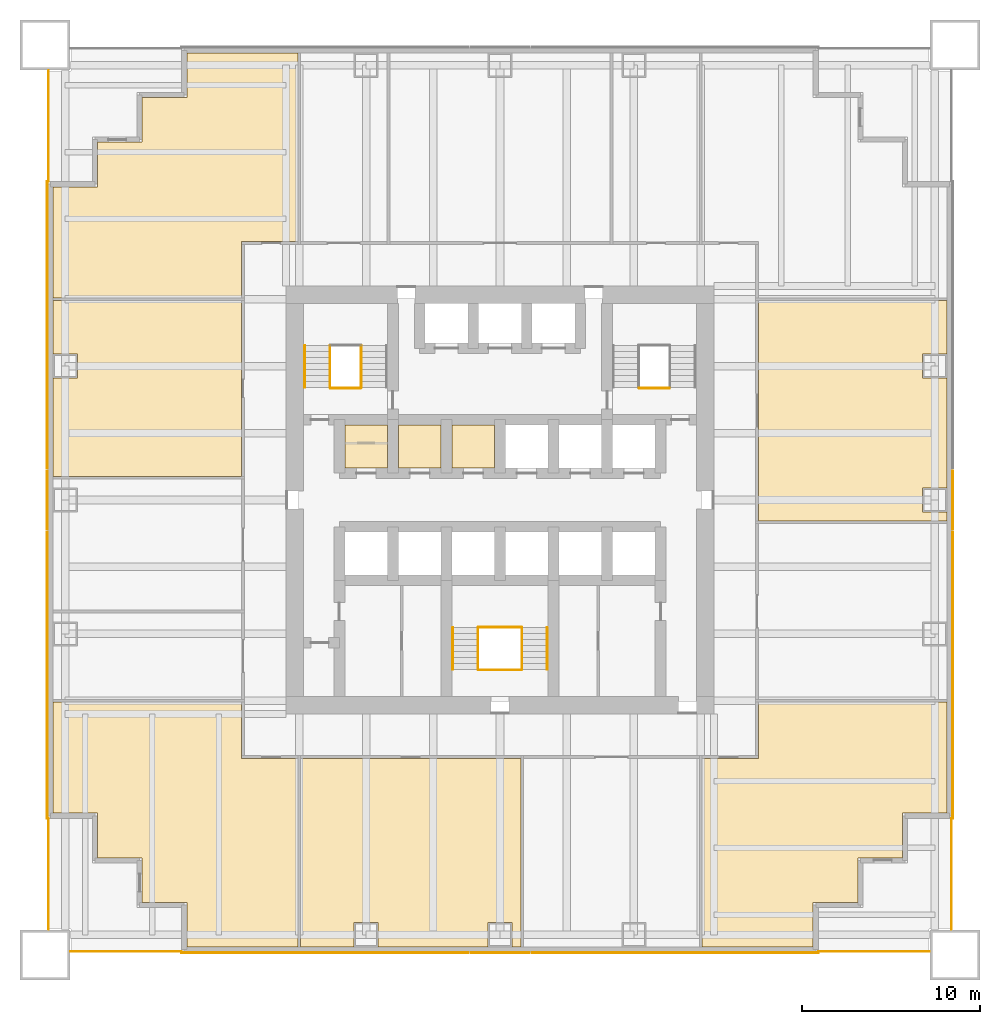
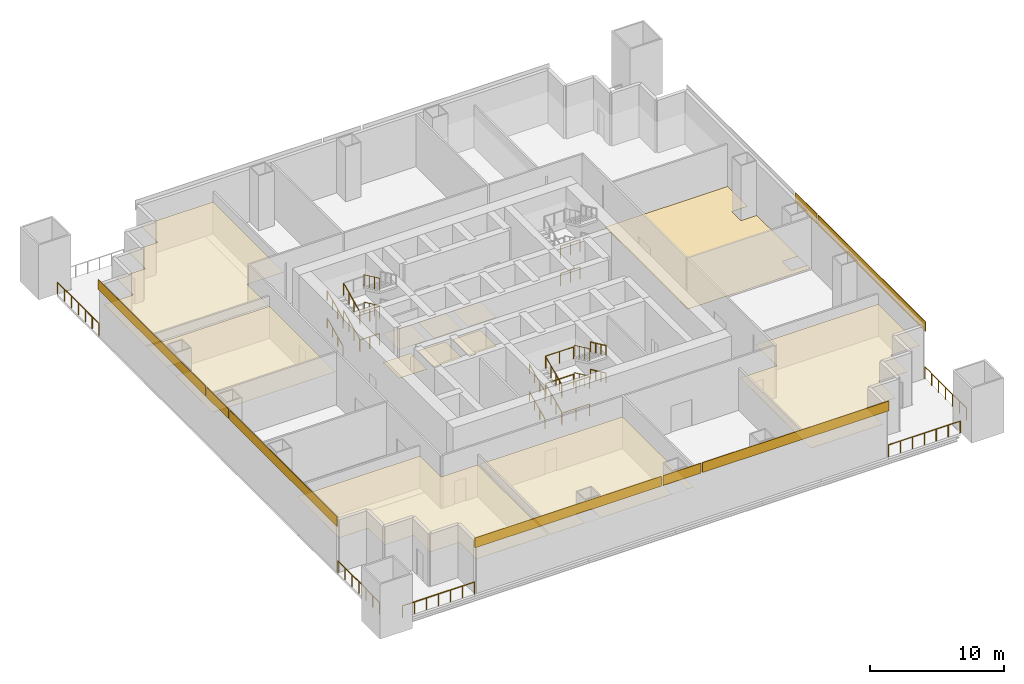
# One storey, part 5 of 6: 27 railings, 20 coverings.
"""IFC4 building model written with IfcOpenShell, lengths in metres."""

from ifc_helpers import new_model, si_unit, direction, frame, origin, origin_2d, place, context, subcontext, project, spatial, polyline, rectangle, circle, outline, extrude, material, layer, layer_set, type_object, element, save


model = new_model("IFC4")

# Units and contexts
model_context = context("Model", 3, precision=1e-05, world=origin(), true_north=direction((0.0, 1.0)))
body_context = subcontext(model_context, "Body", "Model", "MODEL_VIEW")
ifc_project = project(units=[si_unit("LENGTHUNIT", "METRE"), si_unit("AREAUNIT", "SQUARE_METRE"), si_unit("VOLUMEUNIT", "CUBIC_METRE"), si_unit("PLANEANGLEUNIT", "RADIAN"), si_unit("MASSUNIT", "GRAM", prefix="KILO")], contexts=[model_context])

# Site, building, storey
site_placement = place(None, origin())
site = spatial("IfcSite", under=ifc_project, at=site_placement, CompositionType="ELEMENT")
building_placement = place(site_placement, origin())
building = spatial("IfcBuilding", under=site, at=building_placement, Name="Tarangal Relay Tower", CompositionType="ELEMENT")
storey_placement = place(building_placement, frame((0.0, 0.0, 73.39990234375)))
storey = spatial("IfcBuildingStorey", under=building, at=storey_placement, Name="L14", CompositionType="ELEMENT", Elevation=73.39990234375)

# Coverings
ifc_material_1 = material(Name="Anti-static vinyl flooring", Category="plastic")
ifc_layer_1 = layer(ifc_material_1, 0.010009765625)
ifc_layer_set_1 = layer_set([ifc_layer_1], Name="Anti-static vinyl floor")
covering_type_1 = type_object("IfcCoveringType", Name="Anti-static vinyl floor", PredefinedType="FLOORING", material=ifc_layer_set_1)
covering_1_placement = place(storey_placement, origin())
element("IfcCovering", 1, at=covering_1_placement, inside=storey, type_object=covering_type_1, Name="Floor finish FL1 L14-D1", PredefinedType="FLOORING", context=body_context, shape_type="SweptSolid", body=[
    extrude(outline(polyline([(-8.699951171875, 1.800048828125), (-6.300048828125, 1.800048828125), (-6.300048828125, 4.199951171875), (-8.699951171875, 4.199951171875), (-8.699951171875, 1.800048828125)])), origin(), (0.0, 0.0, 1.0), 0.010009765625),
])
covering_2_placement = place(storey_placement, origin())
element("IfcCovering", 2, at=covering_2_placement, inside=storey, type_object=covering_type_1, Name="Floor finish FL1 L14-D2", PredefinedType="FLOORING", context=body_context, shape_type="SweptSolid", body=[
    extrude(outline(polyline([(-5.699951171875, 1.800048828125), (-3.300048828125, 1.800048828125), (-3.300048828125, 4.199951171875), (-5.699951171875, 4.199951171875), (-5.699951171875, 1.800048828125)])), origin(), (0.0, 0.0, 1.0), 0.010009765625),
])
covering_3_placement = place(storey_placement, origin())
element("IfcCovering", 3, at=covering_3_placement, inside=storey, type_object=covering_type_1, Name="Floor finish FL1 L14-D3", PredefinedType="FLOORING", context=body_context, shape_type="SweptSolid", body=[
    extrude(outline(polyline([(-2.699951171875, 1.800048828125), (-0.300048828125, 1.800048828125), (-0.300048828125, 4.199951171875), (-2.699951171875, 4.199951171875), (-2.699951171875, 1.800048828125)])), origin(), (0.0, 0.0, 1.0), 0.010009765625),
])
covering_4_placement = place(storey_placement, origin())
element("IfcCovering", 4, at=covering_4_placement, inside=storey, type_object=covering_type_1, Name="Floor finish FL1 L14-05", PredefinedType="FLOORING", context=body_context, shape_type="SweptSolid", body=[
    extrude(outline(polyline([(25.050048828125, -1.175048828125), (25.050048828125, 11.175048828125), (14.47509765625, 11.175048828125), (14.47509765625, -1.175048828125), (25.050048828125, -1.175048828125)]), holes=[polyline([(25.0400390625, -0.675048828125), (25.0400390625, 0.675048828125), (23.68994140625, 0.675048828125), (23.68994140625, -0.675048828125), (25.0400390625, -0.675048828125)]), polyline([(25.0400390625, 6.824951171875), (25.0400390625, 8.175048828125), (23.68994140625, 8.175048828125), (23.68994140625, 6.824951171875), (25.0400390625, 6.824951171875)])]), origin(), (0.0, 0.0, 1.0), 0.010009765625),
])
ifc_material_2 = material(Name="Black anodised aluminium cladding", Category="aluminium")
ifc_layer_2 = layer(ifc_material_2, 0.050048828125)
ifc_layer_set_2 = layer_set([ifc_layer_2], Name="Black metal spandrel band")
covering_type_2 = type_object("IfcCoveringType", Name="Black metal spandrel band", PredefinedType="CLADDING", material=ifc_layer_set_2)
covering_5_placement = place(storey_placement, frame((25.375, 0.0, 4.250244140625), z_axis=(0.0, 0.0, 1.0), x_axis=(0.0, -1.0, 0.0)))
element("IfcCovering", 5, at=covering_5_placement, inside=storey, type_object=covering_type_2, Name="Spandrel band SB1 E L14", PredefinedType="CLADDING", context=body_context, shape_type="SweptSolid", body=[
    extrude(rectangle(XDim=3.260009765625, YDim=0.050048828125, at=origin_2d()), origin(), (0.0, 0.0, 1.0), 0.89990234375),
])
for number, where, z_axis, x_axis, name in (
    (6, (25.375, -9.81005859375, 4.250244140625), (0.0, 0.0, 1.0), (0.0, -1.0, 0.0), "Spandrel band SB1 E L14"),
    (7, (9.81005859375, -25.375, 4.250244140625), (0.0, 0.0, 1.0), (-1.0, 0.0, 0.0), "Spandrel band SB1 S L14"),
):
    element("IfcCovering", number, at=place(storey_placement, frame(where, z_axis=z_axis, x_axis=x_axis)), inside=storey, type_object=covering_type_2, Name=name, PredefinedType="CLADDING", context=body_context, shape_type="SweptSolid", body=[
        extrude(rectangle(XDim=16.080078125, YDim=0.050048828125, at=origin_2d()), origin(), (0.0, 0.0, 1.0), 0.89990234375),
    ])
covering_6_placement = place(storey_placement, frame((0.0, -25.375, 4.250244140625), z_axis=(0.0, 0.0, 1.0), x_axis=(-1.0, 0.0, 0.0)))
element("IfcCovering", 8, at=covering_6_placement, inside=storey, type_object=covering_type_2, Name="Spandrel band SB1 S L14", PredefinedType="CLADDING", context=body_context, shape_type="SweptSolid", body=[
    extrude(rectangle(XDim=3.260009765625, YDim=0.050048828125, at=origin_2d()), origin(), (0.0, 0.0, 1.0), 0.89990234375),
])
for number, where, z_axis, x_axis, name in (
    (9, (-9.81005859375, -25.375, 4.250244140625), (0.0, 0.0, 1.0), (-1.0, 0.0, 0.0), "Spandrel band SB1 S L14"),
    (10, (-25.375, -9.81005859375, 4.250244140625), (0.0, 0.0, 1.0), (0.0, 1.0, 0.0), "Spandrel band SB1 W L14"),
):
    element("IfcCovering", number, at=place(storey_placement, frame(where, z_axis=z_axis, x_axis=x_axis)), inside=storey, type_object=covering_type_2, Name=name, PredefinedType="CLADDING", context=body_context, shape_type="SweptSolid", body=[
        extrude(rectangle(XDim=16.080078125, YDim=0.050048828125, at=origin_2d()), origin(), (0.0, 0.0, 1.0), 0.89990234375),
    ])
covering_7_placement = place(storey_placement, frame((-25.375, 0.0, 4.250244140625), z_axis=(0.0, 0.0, 1.0), x_axis=(0.0, 1.0, 0.0)))
element("IfcCovering", 11, at=covering_7_placement, inside=storey, type_object=covering_type_2, Name="Spandrel band SB1 W L14", PredefinedType="CLADDING", context=body_context, shape_type="SweptSolid", body=[
    extrude(rectangle(XDim=3.260009765625, YDim=0.050048828125, at=origin_2d()), origin(), (0.0, 0.0, 1.0), 0.89990234375),
])
covering_8_placement = place(storey_placement, frame((-25.375, 9.81005859375, 4.250244140625), z_axis=(0.0, 0.0, 1.0), x_axis=(0.0, 1.0, 0.0)))
element("IfcCovering", 12, at=covering_8_placement, inside=storey, type_object=covering_type_2, Name="Spandrel band SB1 W L14", PredefinedType="CLADDING", context=body_context, shape_type="SweptSolid", body=[
    extrude(rectangle(XDim=16.080078125, YDim=0.050048828125, at=origin_2d()), origin(), (0.0, 0.0, 1.0), 0.89990234375),
])

# Railings
ifc_material_3 = material(Name="Steel guard, black finish", Category="steel")
railing_type_1 = type_object("IfcRailingType", Name="Stair guard 1100", PredefinedType="GUARDRAIL", material=ifc_material_3)
railing_1_placement = place(storey_placement, frame((-9.530029296875, 6.300048828125, 0.156494140625)))
element("IfcRailing", 13, at=railing_1_placement, inside=storey, type_object=railing_type_1, Name="Stair ST-A guard GR1 L14 flight 1", PredefinedType="GUARDRAIL", context=body_context, shape_type="SweptSolid", body=[
    extrude(circle(Radius=0.02392578125, at=origin_2d()), frame((0.0, 0.0, 1.076171875), z_axis=(0.0, 0.906303632821, 0.42262717037), x_axis=(-1.0, 0.0, 0.0)), (0.0, 0.0, 1.0), 2.58740234375),
    extrude(circle(Radius=0.02099609375, at=origin_2d()), origin(), (0.0, 0.0, 1.0), 1.052001953125),
    extrude(circle(Radius=0.02099609375, at=origin_2d()), frame((0.0, 0.78173828125, 0.364501953125)), (0.0, 0.0, 1.0), 1.052001953125),
    extrude(circle(Radius=0.02099609375, at=origin_2d()), frame((0.0, 1.563232421875, 0.72900390625)), (0.0, 0.0, 1.0), 1.052001953125),
    extrude(circle(Radius=0.02099609375, at=origin_2d()), frame((0.0, 2.344970703125, 1.093505859375)), (0.0, 0.0, 1.0), 1.052001953125),
])
railing_2_placement = place(storey_placement, frame((-7.77001953125, 8.64501953125, 1.406494140625)))
element("IfcRailing", 14, at=railing_2_placement, inside=storey, type_object=railing_type_1, Name="Stair ST-A guard GR1 L14 flight 2", PredefinedType="GUARDRAIL", context=body_context, shape_type="SweptSolid", body=[
    extrude(circle(Radius=0.02392578125, at=origin_2d()), frame((0.0, 0.0, 1.076171875), z_axis=(0.0, -0.906303632821, 0.42262717037), x_axis=(1.0, 0.0, 0.0)), (0.0, 0.0, 1.0), 2.58740234375),
    extrude(circle(Radius=0.02099609375, at=origin_2d()), origin(), (0.0, 0.0, 1.0), 1.052001953125),
    extrude(circle(Radius=0.02099609375, at=origin_2d()), frame((0.0, -0.78173828125, 0.364501953125)), (0.0, 0.0, 1.0), 1.052001953125),
    extrude(circle(Radius=0.02099609375, at=origin_2d()), frame((0.0, -1.563232421875, 0.72900390625)), (0.0, 0.0, 1.0), 1.052001953125),
    extrude(circle(Radius=0.02099609375, at=origin_2d()), frame((0.0, -2.344970703125, 1.093505859375)), (0.0, 0.0, 1.0), 1.052001953125),
])
railing_3_placement = place(storey_placement, frame((-9.530029296875, 6.300048828125, 2.656494140625)))
element("IfcRailing", 15, at=railing_3_placement, inside=storey, type_object=railing_type_1, Name="Stair ST-A guard GR1 L14 flight 3", PredefinedType="GUARDRAIL", context=body_context, shape_type="SweptSolid", body=[
    extrude(circle(Radius=0.02392578125, at=origin_2d()), frame((0.0, 0.0, 1.076171875), z_axis=(0.0, 0.906303632821, 0.42262717037), x_axis=(-1.0, 0.0, 0.0)), (0.0, 0.0, 1.0), 2.58740234375),
    extrude(circle(Radius=0.02099609375, at=origin_2d()), origin(), (0.0, 0.0, 1.0), 1.052001953125),
    extrude(circle(Radius=0.02099609375, at=origin_2d()), frame((0.0, 0.78173828125, 0.364501953125)), (0.0, 0.0, 1.0), 1.052001953125),
    extrude(circle(Radius=0.02099609375, at=origin_2d()), frame((0.0, 1.563232421875, 0.72900390625)), (0.0, 0.0, 1.0), 1.052001953125),
    extrude(circle(Radius=0.02099609375, at=origin_2d()), frame((0.0, 2.344970703125, 1.093505859375)), (0.0, 0.0, 1.0), 1.052001953125),
])
railing_4_placement = place(storey_placement, frame((-7.77001953125, 8.64501953125, 3.906494140625)))
element("IfcRailing", 16, at=railing_4_placement, inside=storey, type_object=railing_type_1, Name="Stair ST-A guard GR1 L14 flight 4", PredefinedType="GUARDRAIL", context=body_context, shape_type="SweptSolid", body=[
    extrude(circle(Radius=0.02392578125, at=origin_2d()), frame((0.0, 0.0, 1.076171875), z_axis=(0.0, -0.906303632821, 0.42262717037), x_axis=(1.0, 0.0, 0.0)), (0.0, 0.0, 1.0), 2.58740234375),
    extrude(circle(Radius=0.02099609375, at=origin_2d()), origin(), (0.0, 0.0, 1.0), 1.052001953125),
    extrude(circle(Radius=0.02099609375, at=origin_2d()), frame((0.0, -0.78173828125, 0.364501953125)), (0.0, 0.0, 1.0), 1.052001953125),
    extrude(circle(Radius=0.02099609375, at=origin_2d()), frame((0.0, -1.563232421875, 0.72900390625)), (0.0, 0.0, 1.0), 1.052001953125),
    extrude(circle(Radius=0.02099609375, at=origin_2d()), frame((0.0, -2.344970703125, 1.093505859375)), (0.0, 0.0, 1.0), 1.052001953125),
])
for number, where, name in (
    (17, (-9.5, 6.27001953125, 0.0), "Stair ST-A landing guard GR1 L14"),
    (18, (-9.5, 6.27001953125, 2.5), "Stair ST-A landing guard GR1 L14"),
    (19, (7.800048828125, 6.27001953125, 0.0), "Stair ST-B landing guard GR1 L14"),
    (20, (7.800048828125, 6.27001953125, 2.5), "Stair ST-B landing guard GR1 L14"),
):
    element("IfcRailing", number, at=place(storey_placement, frame(where)), inside=storey, type_object=railing_type_1, Name=name, PredefinedType="GUARDRAIL", context=body_context, shape_type="SweptSolid", body=[
        extrude(circle(Radius=0.02392578125, at=origin_2d()), frame((0.0, 0.0, 1.076171875), z_axis=(1.0, 0.0, 0.0), x_axis=(0.0, 1.0, 0.0)), (0.0, 0.0, 1.0), 1.699951171875),
        extrude(circle(Radius=0.02099609375, at=origin_2d()), origin(), (0.0, 0.0, 1.0), 1.052001953125),
        extrude(circle(Radius=0.02099609375, at=origin_2d()), frame((0.85009765625, 0.0, 0.0)), (0.0, 0.0, 1.0), 1.052001953125),
        extrude(circle(Radius=0.02099609375, at=origin_2d()), frame((1.699951171875, 0.0, 0.0)), (0.0, 0.0, 1.0), 1.052001953125),
    ])
railing_5_placement = place(storey_placement, frame((-1.22998046875, -9.5, 0.156494140625)))
element("IfcRailing", 21, at=railing_5_placement, inside=storey, type_object=railing_type_1, Name="Stair ST-C guard GR1 L14 flight 1", PredefinedType="GUARDRAIL", context=body_context, shape_type="SweptSolid", body=[
    extrude(circle(Radius=0.02392578125, at=origin_2d()), frame((0.0, 0.0, 1.076171875), z_axis=(0.0, 0.906303632821, 0.42262717037), x_axis=(-1.0, 0.0, 0.0)), (0.0, 0.0, 1.0), 2.58740234375),
    extrude(circle(Radius=0.02099609375, at=origin_2d()), origin(), (0.0, 0.0, 1.0), 1.052001953125),
    extrude(circle(Radius=0.02099609375, at=origin_2d()), frame((0.0, 0.78173828125, 0.364501953125)), (0.0, 0.0, 1.0), 1.052001953125),
    extrude(circle(Radius=0.02099609375, at=origin_2d()), frame((0.0, 1.563232421875, 0.72900390625)), (0.0, 0.0, 1.0), 1.052001953125),
    extrude(circle(Radius=0.02099609375, at=origin_2d()), frame((0.0, 2.344970703125, 1.093505859375)), (0.0, 0.0, 1.0), 1.052001953125),
])
railing_6_placement = place(storey_placement, frame((1.22998046875, -7.155029296875, 1.406494140625)))
element("IfcRailing", 22, at=railing_6_placement, inside=storey, type_object=railing_type_1, Name="Stair ST-C guard GR1 L14 flight 2", PredefinedType="GUARDRAIL", context=body_context, shape_type="SweptSolid", body=[
    extrude(circle(Radius=0.02392578125, at=origin_2d()), frame((0.0, 0.0, 1.076171875), z_axis=(0.0, -0.906303632821, 0.42262717037), x_axis=(1.0, 0.0, 0.0)), (0.0, 0.0, 1.0), 2.58740234375),
    extrude(circle(Radius=0.02099609375, at=origin_2d()), origin(), (0.0, 0.0, 1.0), 1.052001953125),
    extrude(circle(Radius=0.02099609375, at=origin_2d()), frame((0.0, -0.78173828125, 0.364501953125)), (0.0, 0.0, 1.0), 1.052001953125),
    extrude(circle(Radius=0.02099609375, at=origin_2d()), frame((0.0, -1.563232421875, 0.72900390625)), (0.0, 0.0, 1.0), 1.052001953125),
    extrude(circle(Radius=0.02099609375, at=origin_2d()), frame((0.0, -2.344970703125, 1.093505859375)), (0.0, 0.0, 1.0), 1.052001953125),
])
railing_7_placement = place(storey_placement, frame((-1.22998046875, -9.5, 2.656494140625)))
element("IfcRailing", 23, at=railing_7_placement, inside=storey, type_object=railing_type_1, Name="Stair ST-C guard GR1 L14 flight 3", PredefinedType="GUARDRAIL", context=body_context, shape_type="SweptSolid", body=[
    extrude(circle(Radius=0.02392578125, at=origin_2d()), frame((0.0, 0.0, 1.076171875), z_axis=(0.0, 0.906303632821, 0.42262717037), x_axis=(-1.0, 0.0, 0.0)), (0.0, 0.0, 1.0), 2.58740234375),
    extrude(circle(Radius=0.02099609375, at=origin_2d()), origin(), (0.0, 0.0, 1.0), 1.052001953125),
    extrude(circle(Radius=0.02099609375, at=origin_2d()), frame((0.0, 0.78173828125, 0.364501953125)), (0.0, 0.0, 1.0), 1.052001953125),
    extrude(circle(Radius=0.02099609375, at=origin_2d()), frame((0.0, 1.563232421875, 0.72900390625)), (0.0, 0.0, 1.0), 1.052001953125),
    extrude(circle(Radius=0.02099609375, at=origin_2d()), frame((0.0, 2.344970703125, 1.093505859375)), (0.0, 0.0, 1.0), 1.052001953125),
])
railing_8_placement = place(storey_placement, frame((1.22998046875, -7.155029296875, 3.906494140625)))
element("IfcRailing", 24, at=railing_8_placement, inside=storey, type_object=railing_type_1, Name="Stair ST-C guard GR1 L14 flight 4", PredefinedType="GUARDRAIL", context=body_context, shape_type="SweptSolid", body=[
    extrude(circle(Radius=0.02392578125, at=origin_2d()), frame((0.0, 0.0, 1.076171875), z_axis=(0.0, -0.906303632821, 0.42262717037), x_axis=(1.0, 0.0, 0.0)), (0.0, 0.0, 1.0), 2.58740234375),
    extrude(circle(Radius=0.02099609375, at=origin_2d()), origin(), (0.0, 0.0, 1.0), 1.052001953125),
    extrude(circle(Radius=0.02099609375, at=origin_2d()), frame((0.0, -0.78173828125, 0.364501953125)), (0.0, 0.0, 1.0), 1.052001953125),
    extrude(circle(Radius=0.02099609375, at=origin_2d()), frame((0.0, -1.563232421875, 0.72900390625)), (0.0, 0.0, 1.0), 1.052001953125),
    extrude(circle(Radius=0.02099609375, at=origin_2d()), frame((0.0, -2.344970703125, 1.093505859375)), (0.0, 0.0, 1.0), 1.052001953125),
])
for number, where, name in (
    (25, (-1.199951171875, -9.530029296875, 0.0), "Stair ST-C landing guard GR1 L14"),
    (26, (-1.199951171875, -7.125, 1.25), "Stair ST-C landing guard GR1 L14"),
    (27, (-1.199951171875, -9.530029296875, 2.5), "Stair ST-C landing guard GR1 L14"),
    (28, (-1.199951171875, -7.125, 3.75), "Stair ST-C landing guard GR1 L14"),
):
    element("IfcRailing", number, at=place(storey_placement, frame(where)), inside=storey, type_object=railing_type_1, Name=name, PredefinedType="GUARDRAIL", context=body_context, shape_type="SweptSolid", body=[
        extrude(circle(Radius=0.02392578125, at=origin_2d()), frame((0.0, 0.0, 1.076171875), z_axis=(1.0, 0.0, 0.0), x_axis=(0.0, 1.0, 0.0)), (0.0, 0.0, 1.0), 2.39990234375),
        extrude(circle(Radius=0.02099609375, at=origin_2d()), origin(), (0.0, 0.0, 1.0), 1.052001953125),
        extrude(circle(Radius=0.02099609375, at=origin_2d()), frame((1.199951171875, 0.0, 0.0)), (0.0, 0.0, 1.0), 1.052001953125),
        extrude(circle(Radius=0.02099609375, at=origin_2d()), frame((2.39990234375, 0.0, 0.0)), (0.0, 0.0, 1.0), 1.052001953125),
    ])
ifc_material_4 = material(Name="Steel handrail, black finish", Category="steel")
railing_type_2 = type_object("IfcRailingType", Name="Stair handrail 900", PredefinedType="HANDRAIL", material=ifc_material_4)
for number, where, name in (
    (29, (-10.93994140625, 6.300048828125, 0.156494140625), "Stair ST-A handrail HR1 L14 flight 1"),
    (30, (-10.93994140625, 6.300048828125, 2.656494140625), "Stair ST-A handrail HR1 L14 flight 3"),
    (31, (-2.639892578125, -9.5, 0.156494140625), "Stair ST-C handrail HR1 L14 flight 1"),
):
    element("IfcRailing", number, at=place(storey_placement, frame(where)), inside=storey, type_object=railing_type_2, Name=name, PredefinedType="HANDRAIL", context=body_context, shape_type="SweptSolid", body=[
        extrude(circle(Radius=0.02392578125, at=origin_2d()), frame((0.0, 0.0, 0.8759765625), z_axis=(0.0, 0.906303632821, 0.42262717037), x_axis=(-1.0, 0.0, 0.0)), (0.0, 0.0, 1.0), 2.58740234375),
        extrude(circle(Radius=0.02099609375, at=origin_2d()), origin(), (0.0, 0.0, 1.0), 0.851806640625),
        extrude(circle(Radius=0.02099609375, at=origin_2d()), frame((0.0, 0.78173828125, 0.364501953125)), (0.0, 0.0, 1.0), 0.851806640625),
        extrude(circle(Radius=0.02099609375, at=origin_2d()), frame((0.0, 1.563232421875, 0.72900390625)), (0.0, 0.0, 1.0), 0.851806640625),
        extrude(circle(Radius=0.02099609375, at=origin_2d()), frame((0.0, 2.344970703125, 1.093505859375)), (0.0, 0.0, 1.0), 0.851806640625),
    ])
railing_9_placement = place(storey_placement, frame((2.639892578125, -7.155029296875, 1.406494140625)))
element("IfcRailing", 32, at=railing_9_placement, inside=storey, type_object=railing_type_2, Name="Stair ST-C handrail HR1 L14 flight 2", PredefinedType="HANDRAIL", context=body_context, shape_type="SweptSolid", body=[
    extrude(circle(Radius=0.02392578125, at=origin_2d()), frame((0.0, 0.0, 0.8759765625), z_axis=(0.0, -0.906303632821, 0.42262717037), x_axis=(1.0, 0.0, 0.0)), (0.0, 0.0, 1.0), 2.58740234375),
    extrude(circle(Radius=0.02099609375, at=origin_2d()), origin(), (0.0, 0.0, 1.0), 0.851806640625),
    extrude(circle(Radius=0.02099609375, at=origin_2d()), frame((0.0, -0.78173828125, 0.364501953125)), (0.0, 0.0, 1.0), 0.851806640625),
    extrude(circle(Radius=0.02099609375, at=origin_2d()), frame((0.0, -1.563232421875, 0.72900390625)), (0.0, 0.0, 1.0), 0.851806640625),
    extrude(circle(Radius=0.02099609375, at=origin_2d()), frame((0.0, -2.344970703125, 1.093505859375)), (0.0, 0.0, 1.0), 0.851806640625),
])
railing_10_placement = place(storey_placement, frame((-2.639892578125, -9.5, 2.656494140625)))
element("IfcRailing", 33, at=railing_10_placement, inside=storey, type_object=railing_type_2, Name="Stair ST-C handrail HR1 L14 flight 3", PredefinedType="HANDRAIL", context=body_context, shape_type="SweptSolid", body=[
    extrude(circle(Radius=0.02392578125, at=origin_2d()), frame((0.0, 0.0, 0.8759765625), z_axis=(0.0, 0.906303632821, 0.42262717037), x_axis=(-1.0, 0.0, 0.0)), (0.0, 0.0, 1.0), 2.58740234375),
    extrude(circle(Radius=0.02099609375, at=origin_2d()), origin(), (0.0, 0.0, 1.0), 0.851806640625),
    extrude(circle(Radius=0.02099609375, at=origin_2d()), frame((0.0, 0.78173828125, 0.364501953125)), (0.0, 0.0, 1.0), 0.851806640625),
    extrude(circle(Radius=0.02099609375, at=origin_2d()), frame((0.0, 1.563232421875, 0.72900390625)), (0.0, 0.0, 1.0), 0.851806640625),
    extrude(circle(Radius=0.02099609375, at=origin_2d()), frame((0.0, 2.344970703125, 1.093505859375)), (0.0, 0.0, 1.0), 0.851806640625),
])
railing_11_placement = place(storey_placement, frame((2.639892578125, -7.155029296875, 3.906494140625)))
element("IfcRailing", 34, at=railing_11_placement, inside=storey, type_object=railing_type_2, Name="Stair ST-C handrail HR1 L14 flight 4", PredefinedType="HANDRAIL", context=body_context, shape_type="SweptSolid", body=[
    extrude(circle(Radius=0.02392578125, at=origin_2d()), frame((0.0, 0.0, 0.8759765625), z_axis=(0.0, -0.906303632821, 0.42262717037), x_axis=(1.0, 0.0, 0.0)), (0.0, 0.0, 1.0), 2.58740234375),
    extrude(circle(Radius=0.02099609375, at=origin_2d()), origin(), (0.0, 0.0, 1.0), 0.851806640625),
    extrude(circle(Radius=0.02099609375, at=origin_2d()), frame((0.0, -0.78173828125, 0.364501953125)), (0.0, 0.0, 1.0), 0.851806640625),
    extrude(circle(Radius=0.02099609375, at=origin_2d()), frame((0.0, -1.563232421875, 0.72900390625)), (0.0, 0.0, 1.0), 0.851806640625),
    extrude(circle(Radius=0.02099609375, at=origin_2d()), frame((0.0, -2.344970703125, 1.093505859375)), (0.0, 0.0, 1.0), 0.851806640625),
])

# Coverings
ifc_material_5 = material(Name="Mineral fibre ceiling tiles", Category="gypsum")
ifc_layer_3 = layer(ifc_material_5, 0.02001953125)
ifc_layer_set_3 = layer_set([ifc_layer_3], Name="Suspended ceiling")
covering_type_3 = type_object("IfcCoveringType", Name="Suspended ceiling", PredefinedType="CEILING", material=ifc_layer_set_3)
covering_9_placement = place(storey_placement, frame((0.0, 0.0, 2.60009765625)))
element("IfcCovering", 35, at=covering_9_placement, inside=storey, type_object=covering_type_3, Name="Suspended ceiling CL1 L14-D1", PredefinedType="CEILING", context=body_context, shape_type="SweptSolid", body=[
    extrude(outline(polyline([(-8.699951171875, 1.800048828125), (-6.300048828125, 1.800048828125), (-6.300048828125, 4.199951171875), (-8.699951171875, 4.199951171875), (-8.699951171875, 1.800048828125)])), origin(), (0.0, 0.0, 1.0), 0.02001953125),
])
covering_10_placement = place(storey_placement, frame((0.0, 0.0, 2.60009765625)))
element("IfcCovering", 36, at=covering_10_placement, inside=storey, type_object=covering_type_3, Name="Suspended ceiling CL1 L14-D2", PredefinedType="CEILING", context=body_context, shape_type="SweptSolid", body=[
    extrude(outline(polyline([(-5.699951171875, 1.800048828125), (-3.300048828125, 1.800048828125), (-3.300048828125, 4.199951171875), (-5.699951171875, 4.199951171875), (-5.699951171875, 1.800048828125)])), origin(), (0.0, 0.0, 1.0), 0.02001953125),
])
covering_11_placement = place(storey_placement, frame((0.0, 0.0, 2.60009765625)))
element("IfcCovering", 37, at=covering_11_placement, inside=storey, type_object=covering_type_3, Name="Suspended ceiling CL1 L14-D3", PredefinedType="CEILING", context=body_context, shape_type="SweptSolid", body=[
    extrude(outline(polyline([(-2.699951171875, 1.800048828125), (-0.300048828125, 1.800048828125), (-0.300048828125, 4.199951171875), (-2.699951171875, 4.199951171875), (-2.699951171875, 1.800048828125)])), origin(), (0.0, 0.0, 1.0), 0.02001953125),
])
covering_12_placement = place(storey_placement, frame((0.0, 0.0, 2.900146484375)))
element("IfcCovering", 38, at=covering_12_placement, inside=storey, type_object=covering_type_3, Name="Suspended ceiling CL1 L14-08", PredefinedType="CEILING", context=body_context, shape_type="SweptSolid", body=[
    extrude(outline(polyline([(-11.175048828125, -25.050048828125), (1.175048828125, -25.050048828125), (1.175048828125, -14.47509765625), (-11.175048828125, -14.47509765625), (-11.175048828125, -25.050048828125)]), holes=[polyline([(-6.824951171875, -25.0400390625), (-6.824951171875, -23.68994140625), (-8.175048828125, -23.68994140625), (-8.175048828125, -25.0400390625), (-6.824951171875, -25.0400390625)]), polyline([(0.675048828125, -25.0400390625), (0.675048828125, -23.68994140625), (-0.675048828125, -23.68994140625), (-0.675048828125, -25.0400390625), (0.675048828125, -25.0400390625)])]), origin(), (0.0, 0.0, 1.0), 0.02001953125),
])
covering_13_placement = place(storey_placement, frame((0.0, 0.0, 2.900146484375)))
element("IfcCovering", 39, at=covering_13_placement, inside=storey, type_object=covering_type_3, Name="Suspended ceiling CL1 L14-11", PredefinedType="CEILING", context=body_context, shape_type="SweptSolid", body=[
    extrude(outline(polyline([(-25.050048828125, 11.175048828125), (-25.050048828125, 1.324951171875), (-14.47509765625, 1.324951171875), (-14.47509765625, 11.175048828125), (-25.050048828125, 11.175048828125)]), holes=[polyline([(-23.68994140625, 8.175048828125), (-25.0400390625, 8.175048828125), (-25.0400390625, 6.824951171875), (-23.68994140625, 6.824951171875), (-23.68994140625, 8.175048828125)])]), origin(), (0.0, 0.0, 1.0), 0.02001953125),
])
covering_14_placement = place(storey_placement, frame((0.0, 0.0, 2.900146484375)))
element("IfcCovering", 40, at=covering_14_placement, inside=storey, type_object=covering_type_3, Name="Suspended ceiling CL1 L14-13", PredefinedType="CEILING", context=body_context, shape_type="SweptSolid", body=[
    extrude(outline(polyline([(25.050048828125, -17.550048828125), (25.050048828125, -11.324951171875), (14.47509765625, -11.324951171875), (14.47509765625, -14.47509765625), (11.324951171875, -14.47509765625), (11.324951171875, -25.050048828125), (17.550048828125, -25.050048828125), (17.550048828125, -22.550048828125), (20.050048828125, -22.550048828125), (20.050048828125, -20.050048828125), (22.550048828125, -20.050048828125), (22.550048828125, -17.550048828125), (25.050048828125, -17.550048828125)])), origin(), (0.0, 0.0, 1.0), 0.02001953125),
])
covering_15_placement = place(storey_placement, frame((0.0, 0.0, 2.900146484375)))
element("IfcCovering", 41, at=covering_15_placement, inside=storey, type_object=covering_type_3, Name="Suspended ceiling CL1 L14-14", PredefinedType="CEILING", context=body_context, shape_type="SweptSolid", body=[
    extrude(outline(polyline([(-17.550048828125, -22.550048828125), (-17.550048828125, -25.050048828125), (-11.324951171875, -25.050048828125), (-11.324951171875, -14.47509765625), (-14.47509765625, -14.47509765625), (-14.47509765625, -11.324951171875), (-25.050048828125, -11.324951171875), (-25.050048828125, -17.550048828125), (-22.550048828125, -17.550048828125), (-22.550048828125, -20.050048828125), (-20.050048828125, -20.050048828125), (-20.050048828125, -22.550048828125), (-17.550048828125, -22.550048828125)])), origin(), (0.0, 0.0, 1.0), 0.02001953125),
])
covering_16_placement = place(storey_placement, frame((0.0, 0.0, 2.900146484375)))
element("IfcCovering", 42, at=covering_16_placement, inside=storey, type_object=covering_type_3, Name="Suspended ceiling CL1 L14-15", PredefinedType="CEILING", context=body_context, shape_type="SweptSolid", body=[
    extrude(outline(polyline([(-22.550048828125, 17.550048828125), (-25.050048828125, 17.550048828125), (-25.050048828125, 11.324951171875), (-14.47509765625, 11.324951171875), (-14.47509765625, 14.47509765625), (-11.324951171875, 14.47509765625), (-11.324951171875, 25.050048828125), (-17.550048828125, 25.050048828125), (-17.550048828125, 22.550048828125), (-20.050048828125, 22.550048828125), (-20.050048828125, 20.050048828125), (-22.550048828125, 20.050048828125), (-22.550048828125, 17.550048828125)])), origin(), (0.0, 0.0, 1.0), 0.02001953125),
])

# Railings
ifc_material_6 = material(Name="Black steel guard with glass infill", Category="steel")
railing_type_3 = type_object("IfcRailingType", Name="Terrace guard 1100", PredefinedType="GUARDRAIL", material=ifc_material_6)
railing_12_placement = place(storey_placement, frame((25.300048828125, -17.85009765625, 0.0)))
element("IfcRailing", 43, at=railing_12_placement, inside=storey, type_object=railing_type_3, Name="Terrace guard GR2 SE L14", PredefinedType="GUARDRAIL", context=body_context, shape_type="SweptSolid", body=[
    extrude(circle(Radius=0.02392578125, at=origin_2d()), frame((0.0, 0.0, 1.076171875), z_axis=(0.0, -1.0, 0.0), x_axis=(1.0, 0.0, 0.0)), (0.0, 0.0, 1.0), 6.199951171875),
    extrude(circle(Radius=0.02099609375, at=origin_2d()), origin(), (0.0, 0.0, 1.0), 1.052001953125),
    extrude(circle(Radius=0.02099609375, at=origin_2d()), frame((0.0, -1.033203125, 0.0)), (0.0, 0.0, 1.0), 1.052001953125),
    extrude(circle(Radius=0.02099609375, at=origin_2d()), frame((0.0, -2.066650390625, 0.0)), (0.0, 0.0, 1.0), 1.052001953125),
    extrude(circle(Radius=0.02099609375, at=origin_2d()), frame((0.0, -3.10009765625, 0.0)), (0.0, 0.0, 1.0), 1.052001953125),
    extrude(circle(Radius=0.02099609375, at=origin_2d()), frame((0.0, -4.13330078125, 0.0)), (0.0, 0.0, 1.0), 1.052001953125),
    extrude(circle(Radius=0.02099609375, at=origin_2d()), frame((0.0, -5.16650390625, 0.0)), (0.0, 0.0, 1.0), 1.052001953125),
    extrude(circle(Radius=0.02099609375, at=origin_2d()), frame((0.0, -6.199951171875, 0.0)), (0.0, 0.0, 1.0), 1.052001953125),
])
for number, where, name in (
    (44, (24.050048828125, -25.300048828125, 0.0), "Terrace guard GR2 SE L14"),
    (45, (-17.85009765625, -25.300048828125, 0.0), "Terrace guard GR2 SW L14"),
):
    element("IfcRailing", number, at=place(storey_placement, frame(where)), inside=storey, type_object=railing_type_3, Name=name, PredefinedType="GUARDRAIL", context=body_context, shape_type="SweptSolid", body=[
        extrude(circle(Radius=0.02392578125, at=origin_2d()), frame((0.0, 0.0, 1.076171875), z_axis=(-1.0, 0.0, 0.0), x_axis=(0.0, -1.0, 0.0)), (0.0, 0.0, 1.0), 6.199951171875),
        extrude(circle(Radius=0.02099609375, at=origin_2d()), origin(), (0.0, 0.0, 1.0), 1.052001953125),
        extrude(circle(Radius=0.02099609375, at=origin_2d()), frame((-1.033203125, 0.0, 0.0)), (0.0, 0.0, 1.0), 1.052001953125),
        extrude(circle(Radius=0.02099609375, at=origin_2d()), frame((-2.066650390625, 0.0, 0.0)), (0.0, 0.0, 1.0), 1.052001953125),
        extrude(circle(Radius=0.02099609375, at=origin_2d()), frame((-3.10009765625, 0.0, 0.0)), (0.0, 0.0, 1.0), 1.052001953125),
        extrude(circle(Radius=0.02099609375, at=origin_2d()), frame((-4.13330078125, 0.0, 0.0)), (0.0, 0.0, 1.0), 1.052001953125),
        extrude(circle(Radius=0.02099609375, at=origin_2d()), frame((-5.16650390625, 0.0, 0.0)), (0.0, 0.0, 1.0), 1.052001953125),
        extrude(circle(Radius=0.02099609375, at=origin_2d()), frame((-6.199951171875, 0.0, 0.0)), (0.0, 0.0, 1.0), 1.052001953125),
    ])
for number, where, name in (
    (46, (-25.300048828125, -24.050048828125, 0.0), "Terrace guard GR2 SW L14"),
    (47, (-25.300048828125, 17.85009765625, 0.0), "Terrace guard GR2 NW L14"),
):
    element("IfcRailing", number, at=place(storey_placement, frame(where)), inside=storey, type_object=railing_type_3, Name=name, PredefinedType="GUARDRAIL", context=body_context, shape_type="SweptSolid", body=[
        extrude(circle(Radius=0.02392578125, at=origin_2d()), frame((0.0, 0.0, 1.076171875), z_axis=(0.0, 1.0, 0.0), x_axis=(-1.0, 0.0, 0.0)), (0.0, 0.0, 1.0), 6.199951171875),
        extrude(circle(Radius=0.02099609375, at=origin_2d()), origin(), (0.0, 0.0, 1.0), 1.052001953125),
        extrude(circle(Radius=0.02099609375, at=origin_2d()), frame((0.0, 1.033203125, 0.0)), (0.0, 0.0, 1.0), 1.052001953125),
        extrude(circle(Radius=0.02099609375, at=origin_2d()), frame((0.0, 2.066650390625, 0.0)), (0.0, 0.0, 1.0), 1.052001953125),
        extrude(circle(Radius=0.02099609375, at=origin_2d()), frame((0.0, 3.10009765625, 0.0)), (0.0, 0.0, 1.0), 1.052001953125),
        extrude(circle(Radius=0.02099609375, at=origin_2d()), frame((0.0, 4.13330078125, 0.0)), (0.0, 0.0, 1.0), 1.052001953125),
        extrude(circle(Radius=0.02099609375, at=origin_2d()), frame((0.0, 5.16650390625, 0.0)), (0.0, 0.0, 1.0), 1.052001953125),
        extrude(circle(Radius=0.02099609375, at=origin_2d()), frame((0.0, 6.199951171875, 0.0)), (0.0, 0.0, 1.0), 1.052001953125),
    ])

save(model, "model.ifc")
